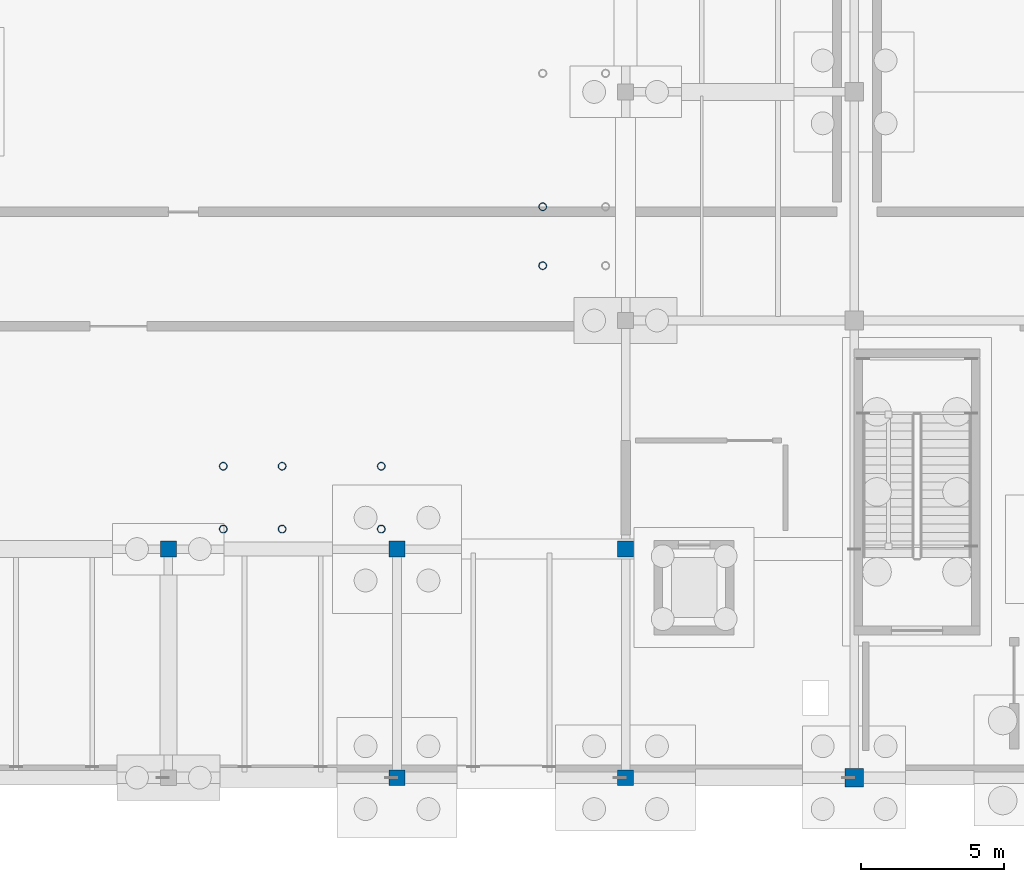
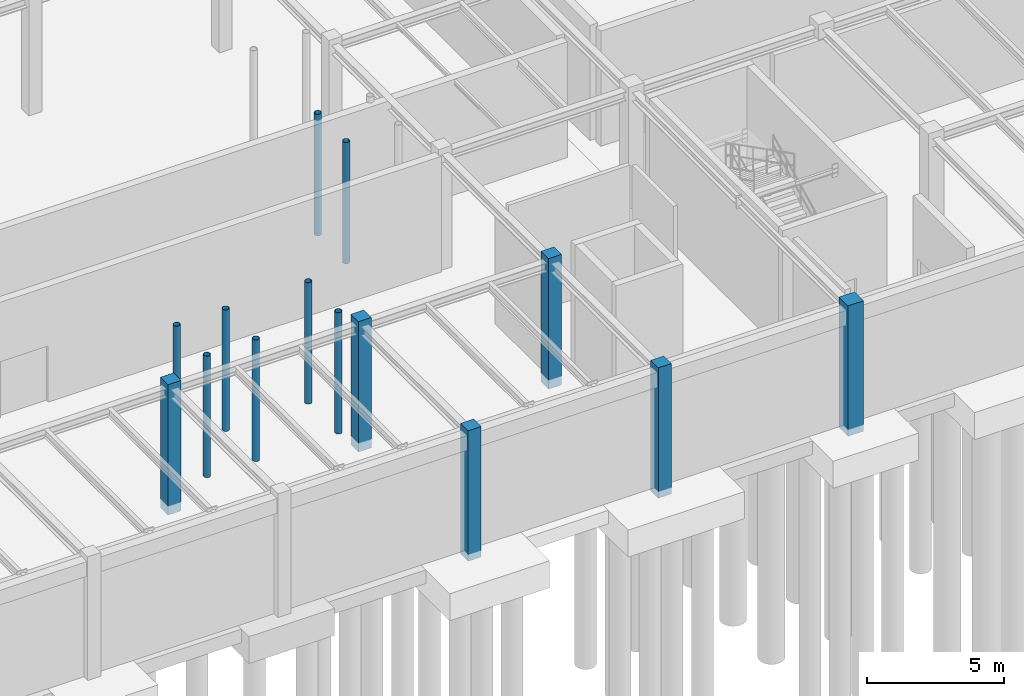
# One storey, part 13 of 71: 14 columns.
"""IFC4 building model written with IfcOpenShell, lengths in metres."""

from ifc_helpers import new_model, si_unit, direction, frame, origin, origin_2d, place, context, subcontext, project, spatial, rectangle, hollow_circle, extrude, material, material_profile, profile_set, type_object, element, save


model = new_model("IFC4")

# Units and contexts
model_context = context("Model", 3, precision=1e-05, world=origin(), true_north=direction((0.0, 1.0)))
body_context = subcontext(model_context, "Body", "Model", "MODEL_VIEW")
ifc_project = project(units=[si_unit("LENGTHUNIT", "METRE"), si_unit("AREAUNIT", "SQUARE_METRE"), si_unit("VOLUMEUNIT", "CUBIC_METRE"), si_unit("PLANEANGLEUNIT", "RADIAN"), si_unit("MASSUNIT", "GRAM", prefix="KILO")], contexts=[model_context])

# Site, building, storey
site_placement = place(None, origin())
site = spatial("IfcSite", under=ifc_project, at=site_placement, CompositionType="ELEMENT")
building_placement = place(site_placement, origin())
building = spatial("IfcBuilding", under=site, at=building_placement, Name="Sundkrona Museum", CompositionType="ELEMENT")
storey_placement = place(building_placement, frame((0.0, 0.0, -5.39990234375)))
storey = spatial("IfcBuildingStorey", under=building, at=storey_placement, Name="B1", CompositionType="ELEMENT", Elevation=-5.39990234375)

# Columns
ifc_material_1 = material(Name="Steel S355J2", Category="steel")
ifc_material_profile_1 = material_profile(ifc_material_1, hollow_circle(Radius=0.136474609375, WallThickness=0.012451171875, at=origin_2d()), Name="CHS 273.0x12.5")
ifc_profile_set_1 = profile_set([ifc_material_profile_1], Name="Steel S355J2")
column_type_1 = type_object("IfcColumnType", Name="C-CHS273", PredefinedType="COLUMN", material=ifc_profile_set_1)
for number, where, z_axis, x_axis, name in (
    (1, (109.10009765625, 17.919921875, 0.0), (0.0, 0.0, 1.0), (1.0, 0.0, 0.0), "B1 Feature Stair FS-1 Column S1-2"),
    (2, (109.10009765625, 19.97998046875, 0.0), (0.0, 0.0, 1.0), (1.0, 0.0, 0.0), "B1 Feature Stair FS-1 Column S2-2"),
    (3, (97.919921875, 8.699951171875, 0.0), (0.0, 0.0, 1.0), (1.0, 0.0, 0.0), "B1 Feature Stair FS-4 Column S1-1"),
    (4, (97.919921875, 10.89990234375, 0.0), (0.0, 0.0, 1.0), (1.0, 0.0, 0.0), "B1 Feature Stair FS-4 Column S1-2"),
    (5, (99.97998046875, 8.699951171875, 0.0), (0.0, 0.0, 1.0), (1.0, 0.0, 0.0), "B1 Feature Stair FS-4 Column S2-1"),
    (6, (99.97998046875, 10.89990234375, 0.0), (0.0, 0.0, 1.0), (1.0, 0.0, 0.0), "B1 Feature Stair FS-4 Column S2-2"),
    (7, (103.449951171875, 8.699951171875, 0.0), (0.0, 0.0, 1.0), (1.0, 0.0, 0.0), "B1 Feature Stair FS-4 Column S3-1"),
    (8, (103.449951171875, 10.89990234375, 0.0), (0.0, 0.0, 1.0), (1.0, 0.0, 0.0), "B1 Feature Stair FS-4 Column S3-2"),
):
    element("IfcColumn", number, at=place(storey_placement, frame(where, z_axis=z_axis, x_axis=x_axis)), inside=storey, type_object=column_type_1, Name=name, PredefinedType="COLUMN", context=body_context, shape_type="SweptSolid", body=[
        extrude(hollow_circle(Radius=0.136474609375, WallThickness=0.012451171875, at=origin_2d()), origin(), (0.0, 0.0, 1.0), 5.39990234375),
    ])
ifc_material_2 = material(Name="Concrete C40/50", Category="concrete")
ifc_material_profile_2 = material_profile(ifc_material_2, rectangle(XDim=0.550048828125, YDim=0.550048828125, at=origin_2d()), Name="RC 550x550")
ifc_profile_set_2 = profile_set([ifc_material_profile_2], Name="Concrete C40/50")
column_type_2 = type_object("IfcColumnType", Name="C-RC550", PredefinedType="COLUMN", material=ifc_profile_set_2)
for number, where, z_axis, x_axis, name in (
    (9, (96.0, 8.0, -0.400146484375), (0.0, 0.0, 1.0), (1.0, 0.0, 0.0), "B1 Column B/13"),
    (10, (104.0, 0.0, -0.400146484375), (0.0, 0.0, 1.0), (1.0, 0.0, 0.0), "B1 Column A/14"),
    (11, (104.0, 8.0, -0.400146484375), (0.0, 0.0, 1.0), (1.0, 0.0, 0.0), "B1 Column B/14"),
    (12, (112.0, 0.0, -0.400146484375), (0.0, 0.0, 1.0), (1.0, 0.0, 0.0), "B1 Column A/15"),
    (13, (112.0, 8.0, -0.400146484375), (0.0, 0.0, 1.0), (1.0, 0.0, 0.0), "B1 Column B/15"),
):
    element("IfcColumn", number, at=place(storey_placement, frame(where, z_axis=z_axis, x_axis=x_axis)), inside=storey, type_object=column_type_2, Name=name, PredefinedType="COLUMN", context=body_context, shape_type="SweptSolid", body=[
        extrude(rectangle(XDim=0.550048828125, YDim=0.550048828125, at=origin_2d()), origin(), (0.0, 0.0, 1.0), 5.800048828125),
    ])
ifc_material_profile_3 = material_profile(ifc_material_2, rectangle(XDim=0.64990234375, YDim=0.64990234375, at=origin_2d()), Name="RC 650x650")
ifc_profile_set_3 = profile_set([ifc_material_profile_3], Name="Concrete C40/50")
column_type_3 = type_object("IfcColumnType", Name="C-RC650", PredefinedType="COLUMN", material=ifc_profile_set_3)
column_placement = place(storey_placement, frame((120.0, 0.0, -0.400146484375), z_axis=(0.0, 0.0, 1.0), x_axis=(1.0, 0.0, 0.0)))
element("IfcColumn", 14, at=column_placement, inside=storey, type_object=column_type_3, Name="B1 Column A/16", PredefinedType="COLUMN", context=body_context, shape_type="SweptSolid", body=[
    extrude(rectangle(XDim=0.64990234375, YDim=0.64990234375, at=origin_2d()), origin(), (0.0, 0.0, 1.0), 5.800048828125),
])

save(model, "model.ifc")
